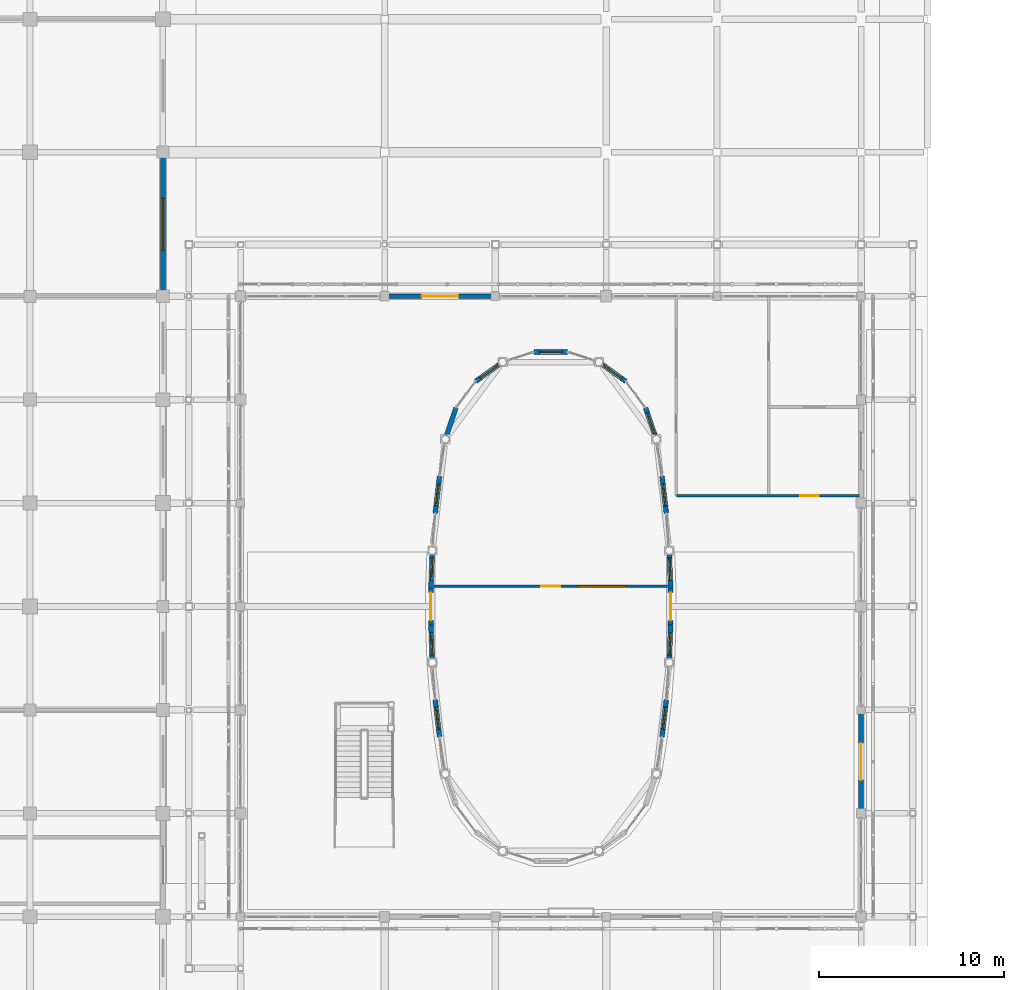
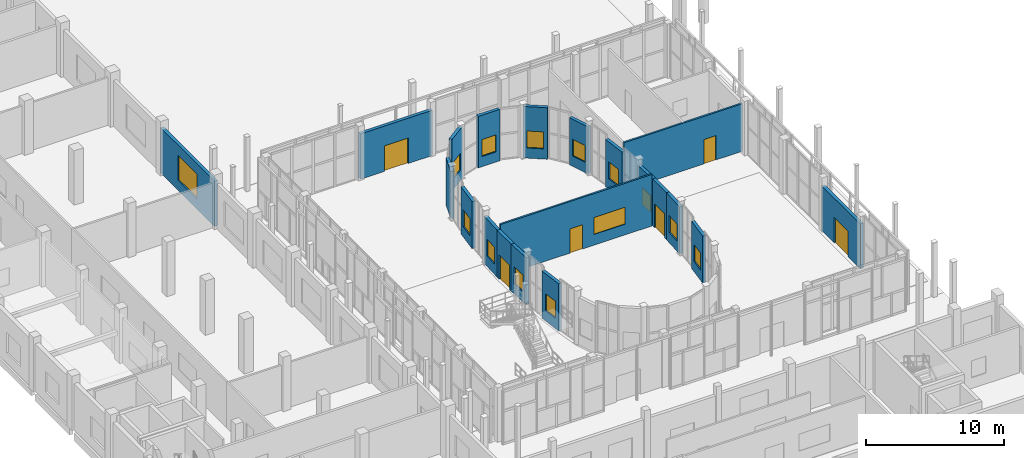
# One storey, part 69 of 91: 20 walls, 14 windows, 6 doors, 20 openings.
"""IFC4 building model written with IfcOpenShell, lengths in metres."""

from ifc_helpers import new_model, si_unit, direction, frame, frame_2d, origin, place, context, subcontext, project, spatial, rectangle, extrude, material, layer, layer_set, type_object, element, fill, save


model = new_model("IFC4")

# Units and contexts
model_context = context("Model", 3, precision=1e-05, world=origin(), true_north=direction((0.0, 1.0)))
body_context = subcontext(model_context, "Body", "Model", "MODEL_VIEW")
ifc_project = project(units=[si_unit("LENGTHUNIT", "METRE"), si_unit("AREAUNIT", "SQUARE_METRE"), si_unit("VOLUMEUNIT", "CUBIC_METRE"), si_unit("PLANEANGLEUNIT", "RADIAN"), si_unit("MASSUNIT", "GRAM", prefix="KILO")], contexts=[model_context])

# Site, building, storey
site_placement = place(None, origin())
site = spatial("IfcSite", under=ifc_project, at=site_placement, CompositionType="ELEMENT")
building_placement = place(site_placement, origin())
building = spatial("IfcBuilding", under=site, at=building_placement, Name="Vinh Khe Railworks Police Headquarters", CompositionType="ELEMENT")
storey_placement = place(building_placement, origin())
storey = spatial("IfcBuildingStorey", under=building, at=storey_placement, Name="L00", CompositionType="ELEMENT", Elevation=0.0)

# Wall, opening, window
ifc_material_1 = material(Name="Clay brickwork", Category="masonry")
ifc_layer_1 = layer(ifc_material_1, 0.260009765625)
ifc_layer_set_1 = layer_set([ifc_layer_1], Name="Clay brickwork")
wall_type_1 = type_object("IfcWallType", Name="EW-BRK-260", PredefinedType="SOLIDWALL", material=ifc_layer_set_1)
wall_1_placement = place(storey_placement, frame((22.199951171875, 58.800048828125, 0.0), z_axis=(0.0, 0.0, 1.0), x_axis=(0.0, 1.0, 0.0)))
wall_1 = element("IfcWall", 1, at=wall_1_placement, inside=storey, type_object=wall_type_1, Name="Exterior Brick Wall EW-L00-V5E-08", PredefinedType="SOLIDWALL", context=body_context, shape_type="SweptSolid", body=[
    extrude(rectangle(XDim=7.800048828125, YDim=0.260009765625, at=frame_2d((3.89990234375, 0.0))), origin(), (0.0, 0.0, 1.0), 4.0048828125),
])
opening_1_placement = place(wall_1_placement, frame((2.5, 0.0, 0.89990234375)))
opening_1 = element("IfcOpeningElement", 2, at=opening_1_placement, cuts=wall_1, Name="Opening WN-01", PredefinedType="OPENING", context=body_context, shape_type="SweptSolid", body=[
    extrude(rectangle(XDim=2.800048828125, YDim=2.199951171875, at=frame_2d((1.39990234375, 1.10009765625))), frame((0.0, 0.14501953125, 0.0), z_axis=(0.0, -1.0, 0.0), x_axis=(1.0, 0.0, 0.0)), (0.0, 0.0, 1.0), 0.289794921875),
])
ifc_material_2 = material(Name="Double-glazed solar-control glass in dark steel frame", Category="steel")
window_type_1 = type_object("IfcWindowType", Name="WIN-WN-01", PartitioningType="DOUBLE_PANEL_VERTICAL", PredefinedType="WINDOW", material=ifc_material_2)
window_1_placement = place(opening_1_placement, origin())
window_1 = element("IfcWindow", 3, at=window_1_placement, inside=storey, type_object=window_type_1, Name="Casement Window WN-01", OverallHeight=2.199951171875, OverallWidth=2.800048828125, PartitioningType="SINGLE_PANEL", PredefinedType="WINDOW", context=body_context, shape_type="SweptSolid", body=[
    extrude(rectangle(XDim=2.800048828125, YDim=2.199951171875, at=frame_2d((1.39990234375, 1.10009765625))), frame((0.0, 0.030029296875, 0.0), z_axis=(0.0, -1.0, 0.0), x_axis=(1.0, 0.0, 0.0)), (0.0, 0.0, 1.0), 0.06005859375),
])
fill(opening_1, window_1)

# Wall, opening, door
wall_2_placement = place(storey_placement, frame((34.199951171875, 58.800048828125, 0.0), z_axis=(0.0, 0.0, 1.0), x_axis=(1.0, 0.0, 0.0)))
wall_2 = element("IfcWall", 4, at=wall_2_placement, inside=storey, type_object=wall_type_1, Name="Entrance Hall Portal Wall N-2", PredefinedType="SOLIDWALL", context=body_context, shape_type="SweptSolid", body=[
    extrude(rectangle(XDim=6.0, YDim=0.260009765625, at=frame_2d((3.0, 0.0))), origin(), (0.0, 0.0, 1.0), 4.0048828125),
])
opening_2_placement = place(wall_2_placement, frame((2.0, 0.0, 0.0)))
opening_2 = element("IfcOpeningElement", 5, at=opening_2_placement, cuts=wall_2, Name="Opening ED-01", PredefinedType="OPENING", context=body_context, shape_type="SweptSolid", body=[
    extrude(rectangle(XDim=2.0, YDim=2.25, at=frame_2d((1.0, 1.125))), frame((0.0, 0.14501953125, 0.0), z_axis=(0.0, -1.0, 0.0), x_axis=(1.0, 0.0, 0.0)), (0.0, 0.0, 1.0), 0.289794921875),
])
ifc_material_3 = material(Name="Dark anodised aluminium and laminated safety glass", Category="aluminium")
door_type_1 = type_object("IfcDoorType", Name="ED-EXIT-2000", OperationType="DOUBLE_DOOR_SINGLE_SWING", PredefinedType="DOOR", material=ifc_material_3)
door_1_placement = place(opening_2_placement, origin())
door_1 = element("IfcDoor", 6, at=door_1_placement, inside=storey, type_object=door_type_1, Name="Public Entrance Hall Double Exit Door N-2", OperationType="DOUBLE_DOOR_SINGLE_SWING", OverallHeight=2.25, OverallWidth=2.0, PredefinedType="DOOR", context=body_context, shape_type="SweptSolid", body=[
    extrude(rectangle(XDim=2.0, YDim=2.25, at=frame_2d((1.0, 1.125))), frame((0.0, 0.02490234375, 0.0), z_axis=(0.0, -1.0, 0.0), x_axis=(1.0, 0.0, 0.0)), (0.0, 0.0, 1.0), 0.050048828125),
])
fill(opening_2, door_1)

wall_3_placement = place(storey_placement, frame((60.0, 30.800048828125, 0.0), z_axis=(0.0, 0.0, 1.0), x_axis=(0.0, 1.0, 0.0)))
wall_3 = element("IfcWall", 7, at=wall_3_placement, inside=storey, type_object=wall_type_1, Name="Entrance Hall Portal Wall E-2", PredefinedType="SOLIDWALL", context=body_context, shape_type="SweptSolid", body=[
    extrude(rectangle(XDim=5.599853515625, YDim=0.260009765625, at=frame_2d((2.7998046875, 0.0))), origin(), (0.0, 0.0, 1.0), 3.955078125),
])
opening_3_placement = place(wall_3_placement, frame((1.800048828125, 0.0, 0.0)))
opening_3 = element("IfcOpeningElement", 8, at=opening_3_placement, cuts=wall_3, Name="Opening ED-01", PredefinedType="OPENING", context=body_context, shape_type="SweptSolid", body=[
    extrude(rectangle(XDim=2.0, YDim=2.25, at=frame_2d((1.0, 1.125))), frame((0.0, 0.14501953125, 0.0), z_axis=(0.0, -1.0, 0.0), x_axis=(1.0, 0.0, 0.0)), (0.0, 0.0, 1.0), 0.289794921875),
])
door_2_placement = place(opening_3_placement, frame((2.0, 0.0, 0.0), z_axis=(0.0, 0.0, 1.0), x_axis=(-1.0, 0.0, 0.0)))
door_2 = element("IfcDoor", 9, at=door_2_placement, inside=storey, type_object=door_type_1, Name="Public Entrance Hall Double Exit Door E-2", OperationType="DOUBLE_DOOR_SINGLE_SWING", OverallHeight=2.25, OverallWidth=2.0, PredefinedType="DOOR", context=body_context, shape_type="SweptSolid", body=[
    extrude(rectangle(XDim=2.0, YDim=2.25, at=frame_2d((1.0, 1.125))), frame((0.0, 0.02490234375, 0.0), z_axis=(0.0, -1.0, 0.0), x_axis=(1.0, 0.0, 0.0)), (0.0, 0.0, 1.0), 0.050048828125),
])
fill(opening_3, door_2)

# Wall, opening, window
wall_4_placement = place(storey_placement, frame((49.223388671875, 34.942626953125, 0.0), z_axis=(0.0, 0.0, 1.0), x_axis=(0.115412215065, 0.993317683631, 0.0)))
wall_4 = element("IfcWall", 10, at=wall_4_placement, inside=storey, type_object=wall_type_1, Name="Command Drum Base Pier C01", PredefinedType="SOLIDWALL", context=body_context, shape_type="SweptSolid", body=[
    extrude(rectangle(XDim=2.022216796875, YDim=0.260009765625, at=frame_2d((1.01123046875, 0.0))), origin(), (0.0, 0.0, 1.0), 4.1650390625),
])
opening_4_placement = place(wall_4_placement, frame((0.4111328125, 0.0, 0.89990234375)))
opening_4 = element("IfcOpeningElement", 11, at=opening_4_placement, cuts=wall_4, Name="Opening WN-10", PredefinedType="OPENING", context=body_context, shape_type="SweptSolid", body=[
    extrude(rectangle(XDim=1.199951171875, YDim=1.5, at=frame_2d((0.60009765625, 0.75))), frame((0.0, 0.14501953125, 0.0), z_axis=(0.0, -1.0, 0.0), x_axis=(1.0, 0.0, 0.0)), (0.0, 0.0, 1.0), 0.289794921875),
])
window_type_2 = type_object("IfcWindowType", Name="WIN-WN-10", PartitioningType="SINGLE_PANEL", PredefinedType="WINDOW", material=ifc_material_2)
window_2_placement = place(opening_4_placement, origin())
window_2 = element("IfcWindow", 12, at=window_2_placement, inside=storey, type_object=window_type_2, Name="Drum Base Acoustic Window WN-10", OverallHeight=1.5, OverallWidth=1.199951171875, PartitioningType="SINGLE_PANEL", PredefinedType="WINDOW", context=body_context, shape_type="SweptSolid", body=[
    extrude(rectangle(XDim=1.199951171875, YDim=1.5, at=frame_2d((0.60009765625, 0.75))), frame((0.0, 0.030029296875, 0.0), z_axis=(0.0, -1.0, 0.0), x_axis=(1.0, 0.0, 0.0)), (0.0, 0.0, 1.0), 0.06005859375),
])
fill(opening_4, window_2)

wall_5_placement = place(storey_placement, frame((49.6123046875, 38.9677734375, 0.0), z_axis=(0.0, 0.0, 1.0), x_axis=(0.038507296903, 0.999258318997, 0.0)))
wall_5 = element("IfcWall", 13, at=wall_5_placement, inside=storey, type_object=wall_type_1, Name="Command Drum Base Pier C03", PredefinedType="SOLIDWALL", context=body_context, shape_type="SweptSolid", body=[
    extrude(rectangle(XDim=2.0224609375, YDim=0.260009765625, at=frame_2d((1.01123046875, 0.0))), origin(), (0.0, 0.0, 1.0), 4.1650390625),
])
opening_5_placement = place(wall_5_placement, frame((0.4111328125, 0.0, 0.89990234375)))
opening_5 = element("IfcOpeningElement", 14, at=opening_5_placement, cuts=wall_5, Name="Opening WN-10", PredefinedType="OPENING", context=body_context, shape_type="SweptSolid", body=[
    extrude(rectangle(XDim=1.199951171875, YDim=1.5, at=frame_2d((0.60009765625, 0.75))), frame((0.0, 0.14501953125, 0.0), z_axis=(0.0, -1.0, 0.0), x_axis=(1.0, 0.0, 0.0)), (0.0, 0.0, 1.0), 0.289794921875),
])
window_3_placement = place(opening_5_placement, origin())
window_3 = element("IfcWindow", 15, at=window_3_placement, inside=storey, type_object=window_type_2, Name="Drum Base Acoustic Window WN-10", OverallHeight=1.5, OverallWidth=1.199951171875, PartitioningType="SINGLE_PANEL", PredefinedType="WINDOW", context=body_context, shape_type="SweptSolid", body=[
    extrude(rectangle(XDim=1.199951171875, YDim=1.5, at=frame_2d((0.60009765625, 0.75))), frame((0.0, 0.030029296875, 0.0), z_axis=(0.0, -1.0, 0.0), x_axis=(1.0, 0.0, 0.0)), (0.0, 0.0, 1.0), 0.06005859375),
])
fill(opening_5, window_3)

# Wall, opening, door
wall_6_placement = place(storey_placement, frame((49.690185546875, 40.98876953125, 0.0), z_axis=(0.0, 0.0, 1.0), x_axis=(0.0, 1.0, 0.0)))
wall_6 = element("IfcWall", 16, at=wall_6_placement, inside=storey, type_object=wall_type_1, Name="Command Drum Portal Wall L00 C04", PredefinedType="SOLIDWALL", context=body_context, shape_type="SweptSolid", body=[
    extrude(rectangle(XDim=2.0224609375, YDim=0.260009765625, at=frame_2d((1.01123046875, 0.0))), origin(), (0.0, 0.0, 1.0), 4.1650390625),
])
opening_6_placement = place(wall_6_placement, frame((0.26123046875, 0.0, 0.0)))
opening_6 = element("IfcOpeningElement", 17, at=opening_6_placement, cuts=wall_6, Name="Opening FD-02", PredefinedType="OPENING", context=body_context, shape_type="SweptSolid", body=[
    extrude(rectangle(XDim=1.5, YDim=2.14990234375, at=frame_2d((0.75, 1.074951171875))), frame((0.0, 0.14501953125, 0.0), z_axis=(0.0, -1.0, 0.0), x_axis=(1.0, 0.0, 0.0)), (0.0, 0.0, 1.0), 0.289794921875),
])
ifc_material_4 = material(Name="Painted galvanised steel", Category="steel")
door_type_2 = type_object("IfcDoorType", Name="FD-1500x2150", OperationType="DOUBLE_DOOR_SINGLE_SWING", PredefinedType="DOOR", material=ifc_material_4)
door_3_placement = place(opening_6_placement, origin())
door_3 = element("IfcDoor", 18, at=door_3_placement, inside=storey, type_object=door_type_2, Name="Command Drum Acoustic Portal Door L00 C04", OperationType="DOUBLE_DOOR_SINGLE_SWING", OverallHeight=2.14990234375, OverallWidth=1.5, PredefinedType="DOOR", context=body_context, shape_type="SweptSolid", body=[
    extrude(rectangle(XDim=1.5, YDim=2.14990234375, at=frame_2d((0.75, 1.074951171875))), frame((0.0, 0.02490234375, 0.0), z_axis=(0.0, -1.0, 0.0), x_axis=(1.0, 0.0, 0.0)), (0.0, 0.0, 1.0), 0.050048828125),
])
fill(opening_6, door_3)

# Wall, opening, window
wall_7_placement = place(storey_placement, frame((49.690185546875, 43.01123046875, 0.0), z_axis=(0.0, 0.0, 1.0), x_axis=(-0.038507296903, 0.999258318997, 0.0)))
wall_7 = element("IfcWall", 19, at=wall_7_placement, inside=storey, type_object=wall_type_1, Name="Command Drum Base Pier C05", PredefinedType="SOLIDWALL", context=body_context, shape_type="SweptSolid", body=[
    extrude(rectangle(XDim=2.0224609375, YDim=0.260009765625, at=frame_2d((1.01123046875, 0.0))), origin(), (0.0, 0.0, 1.0), 4.1650390625),
])
opening_7_placement = place(wall_7_placement, frame((0.4111328125, 0.0, 0.89990234375)))
opening_7 = element("IfcOpeningElement", 20, at=opening_7_placement, cuts=wall_7, Name="Opening WN-10", PredefinedType="OPENING", context=body_context, shape_type="SweptSolid", body=[
    extrude(rectangle(XDim=1.199951171875, YDim=1.5, at=frame_2d((0.60009765625, 0.75))), frame((0.0, 0.14501953125, 0.0), z_axis=(0.0, -1.0, 0.0), x_axis=(1.0, 0.0, 0.0)), (0.0, 0.0, 1.0), 0.289794921875),
])
window_4_placement = place(opening_7_placement, origin())
window_4 = element("IfcWindow", 21, at=window_4_placement, inside=storey, type_object=window_type_2, Name="Drum Base Acoustic Window WN-10", OverallHeight=1.5, OverallWidth=1.199951171875, PartitioningType="SINGLE_PANEL", PredefinedType="WINDOW", context=body_context, shape_type="SweptSolid", body=[
    extrude(rectangle(XDim=1.199951171875, YDim=1.5, at=frame_2d((0.60009765625, 0.75))), frame((0.0, 0.030029296875, 0.0), z_axis=(0.0, -1.0, 0.0), x_axis=(1.0, 0.0, 0.0)), (0.0, 0.0, 1.0), 0.06005859375),
])
fill(opening_7, window_4)

wall_8_placement = place(storey_placement, frame((49.456787109375, 47.048583984375, 0.0), z_axis=(0.0, 0.0, 1.0), x_axis=(-0.115412215065, 0.993317683631, 0.0)))
wall_8 = element("IfcWall", 22, at=wall_8_placement, inside=storey, type_object=wall_type_1, Name="Command Drum Base Pier C07", PredefinedType="SOLIDWALL", context=body_context, shape_type="SweptSolid", body=[
    extrude(rectangle(XDim=2.022216796875, YDim=0.260009765625, at=frame_2d((1.01123046875, 0.0))), origin(), (0.0, 0.0, 1.0), 4.1650390625),
])
opening_8_placement = place(wall_8_placement, frame((0.4111328125, 0.0, 0.89990234375)))
opening_8 = element("IfcOpeningElement", 23, at=opening_8_placement, cuts=wall_8, Name="Opening WN-10", PredefinedType="OPENING", context=body_context, shape_type="SweptSolid", body=[
    extrude(rectangle(XDim=1.199951171875, YDim=1.5, at=frame_2d((0.60009765625, 0.75))), frame((0.0, 0.14501953125, 0.0), z_axis=(0.0, -1.0, 0.0), x_axis=(1.0, 0.0, 0.0)), (0.0, 0.0, 1.0), 0.289794921875),
])
window_5_placement = place(opening_8_placement, origin())
window_5 = element("IfcWindow", 24, at=window_5_placement, inside=storey, type_object=window_type_2, Name="Drum Base Acoustic Window WN-10", OverallHeight=1.5, OverallWidth=1.199951171875, PartitioningType="SINGLE_PANEL", PredefinedType="WINDOW", context=body_context, shape_type="SweptSolid", body=[
    extrude(rectangle(XDim=1.199951171875, YDim=1.5, at=frame_2d((0.60009765625, 0.75))), frame((0.0, 0.030029296875, 0.0), z_axis=(0.0, -1.0, 0.0), x_axis=(1.0, 0.0, 0.0)), (0.0, 0.0, 1.0), 0.06005859375),
])
fill(opening_8, window_5)

wall_9_placement = place(storey_placement, frame((48.9130859375, 51.055908203125, 0.0), z_axis=(0.0, 0.0, 1.0), x_axis=(-0.322793070249, 0.94646956306, 0.0)))
wall_9 = element("IfcWall", 25, at=wall_9_placement, inside=storey, type_object=wall_type_1, Name="Command Drum Base Pier C09", PredefinedType="SOLIDWALL", context=body_context, shape_type="SweptSolid", body=[
    extrude(rectangle(XDim=1.7939453125, YDim=0.260009765625, at=frame_2d((0.89697265625, 0.0))), origin(), (0.0, 0.0, 1.0), 4.1650390625),
])
opening_9_placement = place(wall_9_placement, frame((0.297119140625, 0.0, 0.89990234375)))
opening_9 = element("IfcOpeningElement", 26, at=opening_9_placement, cuts=wall_9, Name="Opening WN-10", PredefinedType="OPENING", context=body_context, shape_type="SweptSolid", body=[
    extrude(rectangle(XDim=1.199951171875, YDim=1.5, at=frame_2d((0.60009765625, 0.75))), frame((0.0, 0.14501953125, 0.0), z_axis=(0.0, -1.0, 0.0), x_axis=(1.0, 0.0, 0.0)), (0.0, 0.0, 1.0), 0.289794921875),
])
window_6_placement = place(opening_9_placement, origin())
window_6 = element("IfcWindow", 27, at=window_6_placement, inside=storey, type_object=window_type_2, Name="Drum Base Acoustic Window WN-10", OverallHeight=1.5, OverallWidth=1.199951171875, PartitioningType="SINGLE_PANEL", PredefinedType="WINDOW", context=body_context, shape_type="SweptSolid", body=[
    extrude(rectangle(XDim=1.199951171875, YDim=1.5, at=frame_2d((0.60009765625, 0.75))), frame((0.0, 0.030029296875, 0.0), z_axis=(0.0, -1.0, 0.0), x_axis=(1.0, 0.0, 0.0)), (0.0, 0.0, 1.0), 0.06005859375),
])
fill(opening_9, window_6)

wall_10_placement = place(storey_placement, frame((47.263916015625, 54.193603515625, 0.0), z_axis=(0.0, 0.0, 1.0), x_axis=(-0.813208963997, 0.581971804193, 0.0)))
wall_10 = element("IfcWall", 28, at=wall_10_placement, inside=storey, type_object=wall_type_1, Name="Command Drum Base Pier C11", PredefinedType="SOLIDWALL", context=body_context, shape_type="SweptSolid", body=[
    extrude(rectangle(XDim=1.793701171875, YDim=0.260009765625, at=frame_2d((0.89697265625, 0.0))), origin(), (0.0, 0.0, 1.0), 4.550048828125),
])
opening_10_placement = place(wall_10_placement, frame((0.297119140625, 0.0, 0.89990234375)))
opening_10 = element("IfcOpeningElement", 29, at=opening_10_placement, cuts=wall_10, Name="Opening WN-10", PredefinedType="OPENING", context=body_context, shape_type="SweptSolid", body=[
    extrude(rectangle(XDim=1.199951171875, YDim=1.5, at=frame_2d((0.60009765625, 0.75))), frame((0.0, 0.14501953125, 0.0), z_axis=(0.0, -1.0, 0.0), x_axis=(1.0, 0.0, 0.0)), (0.0, 0.0, 1.0), 0.289794921875),
])
window_7_placement = place(opening_10_placement, origin())
window_7 = element("IfcWindow", 30, at=window_7_placement, inside=storey, type_object=window_type_2, Name="Drum Base Acoustic Window WN-10", OverallHeight=1.5, OverallWidth=1.199951171875, PartitioningType="SINGLE_PANEL", PredefinedType="WINDOW", context=body_context, shape_type="SweptSolid", body=[
    extrude(rectangle(XDim=1.199951171875, YDim=1.5, at=frame_2d((0.60009765625, 0.75))), frame((0.0, 0.030029296875, 0.0), z_axis=(0.0, -1.0, 0.0), x_axis=(1.0, 0.0, 0.0)), (0.0, 0.0, 1.0), 0.06005859375),
])
fill(opening_10, window_7)

wall_11_placement = place(storey_placement, frame((44.096923828125, 55.78564453125, 0.0), z_axis=(0.0, 0.0, 1.0), x_axis=(-1.0, 0.0, 0.0)))
wall_11 = element("IfcWall", 31, at=wall_11_placement, inside=storey, type_object=wall_type_1, Name="Command Drum Base Pier C13", PredefinedType="SOLIDWALL", context=body_context, shape_type="SweptSolid", body=[
    extrude(rectangle(XDim=1.7939453125, YDim=0.260009765625, at=frame_2d((0.89697265625, 0.0))), origin(), (0.0, 0.0, 1.0), 4.550048828125),
])
opening_11_placement = place(wall_11_placement, frame((0.297119140625, 0.0, 0.89990234375)))
opening_11 = element("IfcOpeningElement", 32, at=opening_11_placement, cuts=wall_11, Name="Opening WN-10", PredefinedType="OPENING", context=body_context, shape_type="SweptSolid", body=[
    extrude(rectangle(XDim=1.199951171875, YDim=1.5, at=frame_2d((0.60009765625, 0.75))), frame((0.0, 0.14501953125, 0.0), z_axis=(0.0, -1.0, 0.0), x_axis=(1.0, 0.0, 0.0)), (0.0, 0.0, 1.0), 0.289794921875),
])
window_8_placement = place(opening_11_placement, origin())
window_8 = element("IfcWindow", 33, at=window_8_placement, inside=storey, type_object=window_type_2, Name="Drum Base Acoustic Window WN-10", OverallHeight=1.5, OverallWidth=1.199951171875, PartitioningType="SINGLE_PANEL", PredefinedType="WINDOW", context=body_context, shape_type="SweptSolid", body=[
    extrude(rectangle(XDim=1.199951171875, YDim=1.5, at=frame_2d((0.60009765625, 0.75))), frame((0.0, 0.030029296875, 0.0), z_axis=(0.0, -1.0, 0.0), x_axis=(1.0, 0.0, 0.0)), (0.0, 0.0, 1.0), 0.06005859375),
])
fill(opening_11, window_8)

wall_12_placement = place(storey_placement, frame((40.594970703125, 55.237548828125, 0.0), z_axis=(0.0, 0.0, 1.0), x_axis=(-0.813255052865, -0.581907397264, 0.0)))
wall_12 = element("IfcWall", 34, at=wall_12_placement, inside=storey, type_object=wall_type_1, Name="Command Drum Base Pier C15", PredefinedType="SOLIDWALL", context=body_context, shape_type="SweptSolid", body=[
    extrude(rectangle(XDim=1.7939453125, YDim=0.260009765625, at=frame_2d((0.89697265625, 0.0))), origin(), (0.0, 0.0, 1.0), 4.550048828125),
])
opening_12_placement = place(wall_12_placement, frame((0.297119140625, 0.0, 0.89990234375)))
opening_12 = element("IfcOpeningElement", 35, at=opening_12_placement, cuts=wall_12, Name="Opening WN-10", PredefinedType="OPENING", context=body_context, shape_type="SweptSolid", body=[
    extrude(rectangle(XDim=1.199951171875, YDim=1.5, at=frame_2d((0.60009765625, 0.75))), frame((0.0, 0.14501953125, 0.0), z_axis=(0.0, -1.0, 0.0), x_axis=(1.0, 0.0, 0.0)), (0.0, 0.0, 1.0), 0.289794921875),
])
window_9_placement = place(opening_12_placement, origin())
window_9 = element("IfcWindow", 36, at=window_9_placement, inside=storey, type_object=window_type_2, Name="Drum Base Acoustic Window WN-10", OverallHeight=1.5, OverallWidth=1.199951171875, PartitioningType="SINGLE_PANEL", PredefinedType="WINDOW", context=body_context, shape_type="SweptSolid", body=[
    extrude(rectangle(XDim=1.199951171875, YDim=1.5, at=frame_2d((0.60009765625, 0.75))), frame((0.0, 0.030029296875, 0.0), z_axis=(0.0, -1.0, 0.0), x_axis=(1.0, 0.0, 0.0)), (0.0, 0.0, 1.0), 0.06005859375),
])
fill(opening_12, window_9)

# Wall
wall_13_placement = place(storey_placement, frame((38.06591796875, 52.75390625, 0.0), z_axis=(0.0, 0.0, 1.0), x_axis=(-0.322793070249, -0.94646956306, 0.0)))
element("IfcWall", 37, at=wall_13_placement, inside=storey, type_object=wall_type_1, Name="Command Drum Base Pier C17", PredefinedType="SOLIDWALL", context=body_context, shape_type="SweptSolid", body=[
    extrude(rectangle(XDim=1.7939453125, YDim=0.260009765625, at=frame_2d((0.89697265625, 0.0))), origin(), (0.0, 0.0, 1.0), 4.1650390625),
])

# Wall, opening, window
wall_14_placement = place(storey_placement, frame((37.176513671875, 49.057373046875, 0.0), z_axis=(0.0, 0.0, 1.0), x_axis=(-0.115293096544, -0.993331516609, 0.0)))
wall_14 = element("IfcWall", 38, at=wall_14_placement, inside=storey, type_object=wall_type_1, Name="Command Drum Base Pier C19", PredefinedType="SOLIDWALL", context=body_context, shape_type="SweptSolid", body=[
    extrude(rectangle(XDim=2.022216796875, YDim=0.260009765625, at=frame_2d((1.01123046875, 0.0))), origin(), (0.0, 0.0, 1.0), 4.1650390625),
])
opening_13_placement = place(wall_14_placement, frame((0.4111328125, 0.0, 0.89990234375)))
opening_13 = element("IfcOpeningElement", 39, at=opening_13_placement, cuts=wall_14, Name="Opening WN-10", PredefinedType="OPENING", context=body_context, shape_type="SweptSolid", body=[
    extrude(rectangle(XDim=1.199951171875, YDim=1.5, at=frame_2d((0.60009765625, 0.75))), frame((0.0, 0.14501953125, 0.0), z_axis=(0.0, -1.0, 0.0), x_axis=(1.0, 0.0, 0.0)), (0.0, 0.0, 1.0), 0.289794921875),
])
window_10_placement = place(opening_13_placement, origin())
window_10 = element("IfcWindow", 40, at=window_10_placement, inside=storey, type_object=window_type_2, Name="Drum Base Acoustic Window WN-10", OverallHeight=1.5, OverallWidth=1.199951171875, PartitioningType="SINGLE_PANEL", PredefinedType="WINDOW", context=body_context, shape_type="SweptSolid", body=[
    extrude(rectangle(XDim=1.199951171875, YDim=1.5, at=frame_2d((0.60009765625, 0.75))), frame((0.0, 0.030029296875, 0.0), z_axis=(0.0, -1.0, 0.0), x_axis=(1.0, 0.0, 0.0)), (0.0, 0.0, 1.0), 0.06005859375),
])
fill(opening_13, window_10)

wall_15_placement = place(storey_placement, frame((36.78759765625, 45.0322265625, 0.0), z_axis=(0.0, 0.0, 1.0), x_axis=(-0.038507296903, -0.999258318997, 0.0)))
wall_15 = element("IfcWall", 41, at=wall_15_placement, inside=storey, type_object=wall_type_1, Name="Command Drum Base Pier C21", PredefinedType="SOLIDWALL", context=body_context, shape_type="SweptSolid", body=[
    extrude(rectangle(XDim=2.0224609375, YDim=0.260009765625, at=frame_2d((1.01123046875, 0.0))), origin(), (0.0, 0.0, 1.0), 4.1650390625),
])
opening_14_placement = place(wall_15_placement, frame((0.4111328125, 0.0, 0.89990234375)))
opening_14 = element("IfcOpeningElement", 42, at=opening_14_placement, cuts=wall_15, Name="Opening WN-10", PredefinedType="OPENING", context=body_context, shape_type="SweptSolid", body=[
    extrude(rectangle(XDim=1.199951171875, YDim=1.5, at=frame_2d((0.60009765625, 0.75))), frame((0.0, 0.14501953125, 0.0), z_axis=(0.0, -1.0, 0.0), x_axis=(1.0, 0.0, 0.0)), (0.0, 0.0, 1.0), 0.289794921875),
])
window_11_placement = place(opening_14_placement, origin())
window_11 = element("IfcWindow", 43, at=window_11_placement, inside=storey, type_object=window_type_2, Name="Drum Base Acoustic Window WN-10", OverallHeight=1.5, OverallWidth=1.199951171875, PartitioningType="SINGLE_PANEL", PredefinedType="WINDOW", context=body_context, shape_type="SweptSolid", body=[
    extrude(rectangle(XDim=1.199951171875, YDim=1.5, at=frame_2d((0.60009765625, 0.75))), frame((0.0, 0.030029296875, 0.0), z_axis=(0.0, -1.0, 0.0), x_axis=(1.0, 0.0, 0.0)), (0.0, 0.0, 1.0), 0.06005859375),
])
fill(opening_14, window_11)

# Wall, opening, door
wall_16_placement = place(storey_placement, frame((36.709716796875, 43.01123046875, 0.0), z_axis=(0.0, 0.0, 1.0), x_axis=(0.0, -1.0, 0.0)))
wall_16 = element("IfcWall", 44, at=wall_16_placement, inside=storey, type_object=wall_type_1, Name="Command Drum Portal Wall L00 C22", PredefinedType="SOLIDWALL", context=body_context, shape_type="SweptSolid", body=[
    extrude(rectangle(XDim=2.0224609375, YDim=0.260009765625, at=frame_2d((1.01123046875, 0.0))), origin(), (0.0, 0.0, 1.0), 4.1650390625),
])
opening_15_placement = place(wall_16_placement, frame((0.26123046875, 0.0, 0.0)))
opening_15 = element("IfcOpeningElement", 45, at=opening_15_placement, cuts=wall_16, Name="Opening FD-02", PredefinedType="OPENING", context=body_context, shape_type="SweptSolid", body=[
    extrude(rectangle(XDim=1.5, YDim=2.14990234375, at=frame_2d((0.75, 1.074951171875))), frame((0.0, 0.14501953125, 0.0), z_axis=(0.0, -1.0, 0.0), x_axis=(1.0, 0.0, 0.0)), (0.0, 0.0, 1.0), 0.289794921875),
])
door_4_placement = place(opening_15_placement, origin())
door_4 = element("IfcDoor", 46, at=door_4_placement, inside=storey, type_object=door_type_2, Name="Command Drum Acoustic Portal Door L00 C22", OperationType="DOUBLE_DOOR_SINGLE_SWING", OverallHeight=2.14990234375, OverallWidth=1.5, PredefinedType="DOOR", context=body_context, shape_type="SweptSolid", body=[
    extrude(rectangle(XDim=1.5, YDim=2.14990234375, at=frame_2d((0.75, 1.074951171875))), frame((0.0, 0.02490234375, 0.0), z_axis=(0.0, -1.0, 0.0), x_axis=(1.0, 0.0, 0.0)), (0.0, 0.0, 1.0), 0.050048828125),
])
fill(opening_15, door_4)

# Wall, opening, window
wall_17_placement = place(storey_placement, frame((36.709716796875, 40.98876953125, 0.0), z_axis=(0.0, 0.0, 1.0), x_axis=(0.038507296903, -0.999258318997, 0.0)))
wall_17 = element("IfcWall", 47, at=wall_17_placement, inside=storey, type_object=wall_type_1, Name="Command Drum Base Pier C23", PredefinedType="SOLIDWALL", context=body_context, shape_type="SweptSolid", body=[
    extrude(rectangle(XDim=2.0224609375, YDim=0.260009765625, at=frame_2d((1.01123046875, 0.0))), origin(), (0.0, 0.0, 1.0), 4.1650390625),
])
opening_16_placement = place(wall_17_placement, frame((0.4111328125, 0.0, 0.89990234375)))
opening_16 = element("IfcOpeningElement", 48, at=opening_16_placement, cuts=wall_17, Name="Opening WN-10", PredefinedType="OPENING", context=body_context, shape_type="SweptSolid", body=[
    extrude(rectangle(XDim=1.199951171875, YDim=1.5, at=frame_2d((0.60009765625, 0.75))), frame((0.0, 0.14501953125, 0.0), z_axis=(0.0, -1.0, 0.0), x_axis=(1.0, 0.0, 0.0)), (0.0, 0.0, 1.0), 0.289794921875),
])
window_12_placement = place(opening_16_placement, origin())
window_12 = element("IfcWindow", 49, at=window_12_placement, inside=storey, type_object=window_type_2, Name="Drum Base Acoustic Window WN-10", OverallHeight=1.5, OverallWidth=1.199951171875, PartitioningType="SINGLE_PANEL", PredefinedType="WINDOW", context=body_context, shape_type="SweptSolid", body=[
    extrude(rectangle(XDim=1.199951171875, YDim=1.5, at=frame_2d((0.60009765625, 0.75))), frame((0.0, 0.030029296875, 0.0), z_axis=(0.0, -1.0, 0.0), x_axis=(1.0, 0.0, 0.0)), (0.0, 0.0, 1.0), 0.06005859375),
])
fill(opening_16, window_12)

wall_18_placement = place(storey_placement, frame((36.943359375, 36.951416015625, 0.0), z_axis=(0.0, 0.0, 1.0), x_axis=(0.115293096544, -0.993331516609, 0.0)))
wall_18 = element("IfcWall", 50, at=wall_18_placement, inside=storey, type_object=wall_type_1, Name="Command Drum Base Pier C25", PredefinedType="SOLIDWALL", context=body_context, shape_type="SweptSolid", body=[
    extrude(rectangle(XDim=2.022216796875, YDim=0.260009765625, at=frame_2d((1.01123046875, 0.0))), origin(), (0.0, 0.0, 1.0), 4.1650390625),
])
opening_17_placement = place(wall_18_placement, frame((0.4111328125, 0.0, 0.89990234375)))
opening_17 = element("IfcOpeningElement", 51, at=opening_17_placement, cuts=wall_18, Name="Opening WN-10", PredefinedType="OPENING", context=body_context, shape_type="SweptSolid", body=[
    extrude(rectangle(XDim=1.199951171875, YDim=1.5, at=frame_2d((0.60009765625, 0.75))), frame((0.0, 0.14501953125, 0.0), z_axis=(0.0, -1.0, 0.0), x_axis=(1.0, 0.0, 0.0)), (0.0, 0.0, 1.0), 0.289794921875),
])
window_13_placement = place(opening_17_placement, origin())
window_13 = element("IfcWindow", 52, at=window_13_placement, inside=storey, type_object=window_type_2, Name="Drum Base Acoustic Window WN-10", OverallHeight=1.5, OverallWidth=1.199951171875, PartitioningType="SINGLE_PANEL", PredefinedType="WINDOW", context=body_context, shape_type="SweptSolid", body=[
    extrude(rectangle(XDim=1.199951171875, YDim=1.5, at=frame_2d((0.60009765625, 0.75))), frame((0.0, 0.030029296875, 0.0), z_axis=(0.0, -1.0, 0.0), x_axis=(1.0, 0.0, 0.0)), (0.0, 0.0, 1.0), 0.06005859375),
])
fill(opening_17, window_13)

# Wall, opening, door
ifc_material_5 = material(Name="Gypsum plasterboard on steel stud", Category="steel")
ifc_layer_2 = layer(ifc_material_5, 0.1201171875)
ifc_layer_set_2 = layer_set([ifc_layer_2], Name="Gypsum plasterboard on steel stud")
wall_type_2 = type_object("IfcWallType", Name="IW-PART-120", PredefinedType="PARTITIONING", material=ifc_layer_set_2)
wall_19_placement = place(storey_placement, frame((50.0, 48.0, 0.0), z_axis=(0.0, 0.0, 1.0), x_axis=(1.0, 0.0, 0.0)))
wall_19 = element("IfcWall", 53, at=wall_19_placement, inside=storey, type_object=wall_type_2, Name="Interior Partition W-L00-V1-WCS", PredefinedType="PARTITIONING", context=body_context, shape_type="SweptSolid", body=[
    extrude(rectangle(XDim=9.919921875, YDim=0.14990234375, at=frame_2d((4.9599609375, 0.0))), origin(), (0.0, 0.0, 1.0), 4.205078125),
])
opening_18_placement = place(wall_19_placement, frame((6.699951171875, 0.0, 0.0)))
opening_18 = element("IfcOpeningElement", 54, at=opening_18_placement, cuts=wall_19, Name="Opening D-05", PredefinedType="OPENING", context=body_context, shape_type="SweptSolid", body=[
    extrude(rectangle(XDim=1.0, YDim=2.14990234375, at=frame_2d((0.5, 1.074951171875))), frame((0.0, 0.08984375, 0.0), z_axis=(0.0, -1.0, 0.0), x_axis=(1.0, 0.0, 0.0)), (0.0, 0.0, 1.0), 0.1796875),
])
ifc_material_6 = material(Name="Seasoned hardwood timber", Category="wood")
door_type_3 = type_object("IfcDoorType", Name="ID-1000x2150", OperationType="NOTDEFINED", PredefinedType="DOOR", material=ifc_material_6)
door_5_placement = place(opening_18_placement, origin())
door_5 = element("IfcDoor", 55, at=door_5_placement, inside=storey, type_object=door_type_3, Name="Accessible WC Door", OperationType="SINGLE_SWING_RIGHT", OverallHeight=2.14990234375, OverallWidth=1.0, PredefinedType="DOOR", context=body_context, shape_type="SweptSolid", body=[
    extrude(rectangle(XDim=1.0, YDim=2.14990234375, at=frame_2d((0.5, 1.074951171875))), frame((0.0, 0.02490234375, 0.0), z_axis=(0.0, -1.0, 0.0), x_axis=(1.0, 0.0, 0.0)), (0.0, 0.0, 1.0), 0.050048828125),
])
fill(opening_18, door_5)

# Wall, openings, door, window
ifc_material_7 = material(Name="Gypsum plasterboard on acoustic steel stud", Category="steel")
ifc_layer_3 = layer(ifc_material_7, 0.14990234375)
ifc_layer_set_3 = layer_set([ifc_layer_3], Name="Gypsum plasterboard on acoustic steel stud")
wall_type_3 = type_object("IfcWallType", Name="IW-PART-150", PredefinedType="PARTITIONING", material=ifc_layer_set_3)
wall_20_placement = place(storey_placement, frame((36.8798828125, 43.10009765625, 0.0), z_axis=(0.0, 0.0, 1.0), x_axis=(1.0, 0.0, 0.0)))
wall_20 = element("IfcWall", 56, at=wall_20_placement, inside=storey, type_object=wall_type_3, Name="Interior Partition W-L00-V2-DIV", PredefinedType="PARTITIONING", context=body_context, shape_type="SweptSolid", body=[
    extrude(rectangle(XDim=12.64013671875, YDim=0.14990234375, at=frame_2d((6.320068359375, 0.0))), origin(), (0.0, 0.0, 1.0), 4.554931640625),
])
opening_19_placement = place(wall_20_placement, frame((5.794921875, 0.0, 0.0)))
opening_19 = element("IfcOpeningElement", 57, at=opening_19_placement, cuts=wall_20, Name="Opening D-02", PredefinedType="OPENING", context=body_context, shape_type="SweptSolid", body=[
    extrude(rectangle(XDim=1.050048828125, YDim=2.14990234375, at=frame_2d((0.52490234375, 1.074951171875))), frame((0.0, 0.08984375, 0.0), z_axis=(0.0, -1.0, 0.0), x_axis=(1.0, 0.0, 0.0)), (0.0, 0.0, 1.0), 0.1796875),
])
opening_20_placement = place(wall_20_placement, frame((7.80078125, 0.0, 0.949951171875)))
opening_20 = element("IfcOpeningElement", 58, at=opening_20_placement, cuts=wall_20, Name="Opening WN-07", PredefinedType="OPENING", context=body_context, shape_type="SweptSolid", body=[
    extrude(rectangle(XDim=2.60009765625, YDim=1.5, at=frame_2d((1.300048828125, 0.75))), frame((0.0, 0.08984375, 0.0), z_axis=(0.0, -1.0, 0.0), x_axis=(1.0, 0.0, 0.0)), (0.0, 0.0, 1.0), 0.1796875),
])
door_type_4 = type_object("IfcDoorType", Name="ID-1050x2150", OperationType="NOTDEFINED", PredefinedType="DOOR", material=ifc_material_6)
door_6_placement = place(opening_19_placement, origin())
door_6 = element("IfcDoor", 59, at=door_6_placement, inside=storey, type_object=door_type_4, Name="Drum Hub Door", OperationType="SINGLE_SWING_RIGHT", OverallHeight=2.14990234375, OverallWidth=1.050048828125, PredefinedType="DOOR", context=body_context, shape_type="SweptSolid", body=[
    extrude(rectangle(XDim=1.050048828125, YDim=2.14990234375, at=frame_2d((0.52490234375, 1.074951171875))), frame((0.0, 0.02490234375, 0.0), z_axis=(0.0, -1.0, 0.0), x_axis=(1.0, 0.0, 0.0)), (0.0, 0.0, 1.0), 0.050048828125),
])
fill(opening_19, door_6)
window_type_3 = type_object("IfcWindowType", Name="WIN-WN-07", PartitioningType="DOUBLE_PANEL_HORIZONTAL", PredefinedType="WINDOW", material=ifc_material_2)
window_14_placement = place(opening_20_placement, origin())
window_14 = element("IfcWindow", 60, at=window_14_placement, inside=storey, type_object=window_type_3, Name="Interior Acoustic Vision Window WN-07", OverallHeight=1.5, OverallWidth=2.60009765625, PartitioningType="SINGLE_PANEL", PredefinedType="WINDOW", context=body_context, shape_type="SweptSolid", body=[
    extrude(rectangle(XDim=2.60009765625, YDim=1.5, at=frame_2d((1.300048828125, 0.75))), frame((0.0, 0.030029296875, 0.0), z_axis=(0.0, -1.0, 0.0), x_axis=(1.0, 0.0, 0.0)), (0.0, 0.0, 1.0), 0.06005859375),
])
fill(opening_20, window_14)

save(model, "model.ifc")
